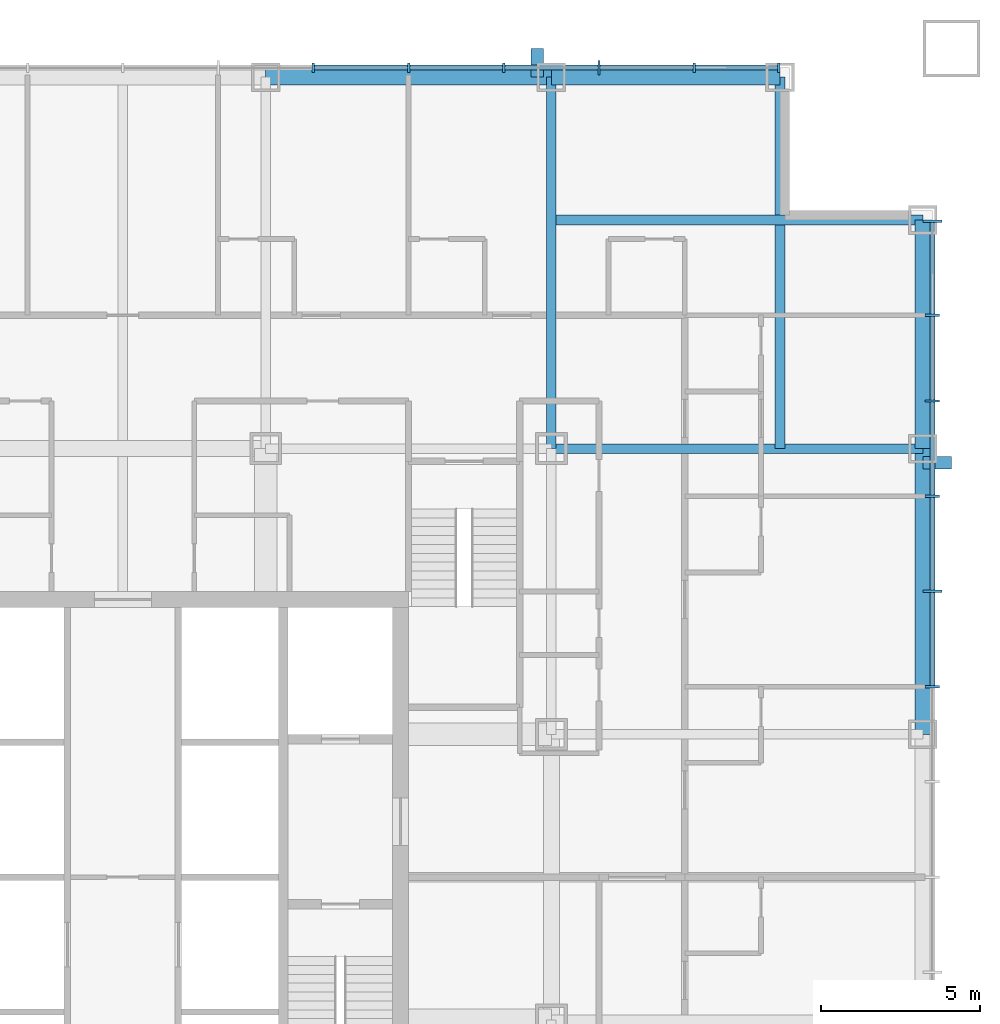
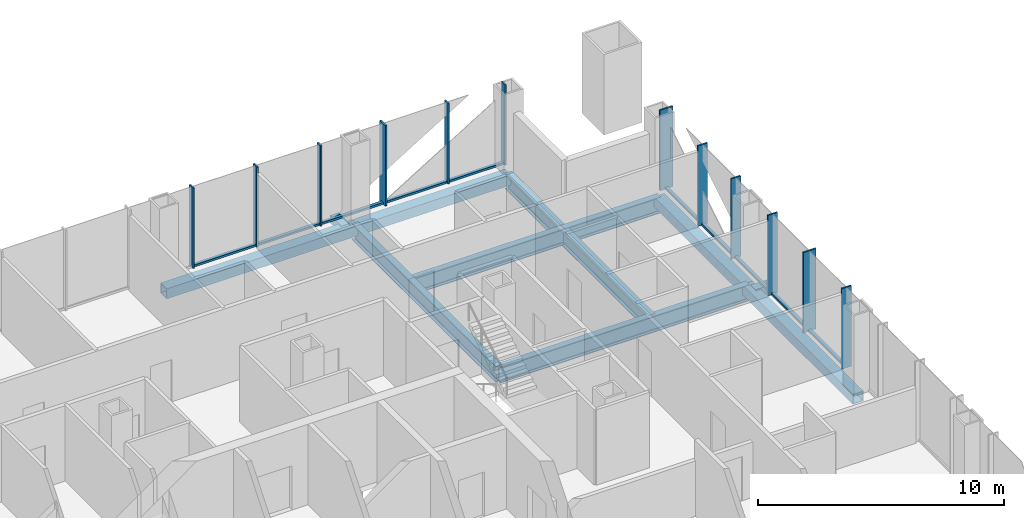
# One storey, part 5 of 13: 24 members, 8 beams, 2 elements without a shape of their own.
"""IFC4 building model written with IfcOpenShell, lengths in metres."""

from ifc_helpers import new_model, si_unit, direction, frame, origin, origin_2d, place, context, subcontext, project, spatial, rectangle, hollow_rectangle, i_section, extrude, material, layer, layer_set, material_profile, profile_set, type_object, element, aggregate, save


model = new_model("IFC4")

# Units and contexts
model_context = context("Model", 3, precision=1e-05, world=origin(), true_north=direction((0.0, 1.0)))
body_context = subcontext(model_context, "Body", "Model", "MODEL_VIEW")
ifc_project = project(units=[si_unit("LENGTHUNIT", "METRE"), si_unit("AREAUNIT", "SQUARE_METRE"), si_unit("VOLUMEUNIT", "CUBIC_METRE"), si_unit("PLANEANGLEUNIT", "RADIAN"), si_unit("MASSUNIT", "GRAM", prefix="KILO")], contexts=[model_context])

# Site, building, storey
site_placement = place(None, origin())
site = spatial("IfcSite", under=ifc_project, at=site_placement, CompositionType="ELEMENT")
building_placement = place(site_placement, origin())
building = spatial("IfcBuilding", under=site, at=building_placement, Name="Malebo Sky Hospital", CompositionType="ELEMENT")
storey_placement = place(building_placement, frame((0.0, 0.0, 87.0)))
storey = spatial("IfcBuildingStorey", under=building, at=storey_placement, Name="L20", CompositionType="ELEMENT", Elevation=87.0)

# Curtain wall, members
ifc_material_1 = material(Name="Anodised aluminium, natural silver", Category="aluminium")
ifc_layer_1 = layer(ifc_material_1, 0.25)
ifc_layer_set_1 = layer_set([ifc_layer_1], Name="WARD CURTAIN WALL NORTH AND SOUTH")
curtain_wall_type_1 = type_object("IfcCurtainWallType", Name="WARD CURTAIN WALL NORTH AND SOUTH", PredefinedType="NOTDEFINED", material=ifc_layer_set_1)
curtain_wall_1_placement = place(storey_placement, origin())
curtain_wall_1 = element("IfcCurtainWall", 1, at=curtain_wall_1_placement, inside=storey, type_object=curtain_wall_type_1, Name="NS curtain wall N", PredefinedType="NOTDEFINED")
ifc_material_profile_1 = material_profile(ifc_material_1, rectangle(XDim=0.14990234375, YDim=0.10009765625, at=origin_2d()), Name="ALUMINIUM TRANSOM 150x100")
ifc_profile_set_1 = profile_set([ifc_material_profile_1], Name="Anodised aluminium, natural silver")
member_type_1 = type_object("IfcMemberType", Name="ALUMINIUM TRANSOM 150x100", PredefinedType="USERDEFINED", material=ifc_profile_set_1)
member_1_placement = place(storey_placement, frame((66.03759765625, 87.5, 0.050048828125), z_axis=(1.0, 0.0, 0.0), x_axis=(0.0, 1.0, 0.0)))
member_1 = element("IfcMember", 2, at=member_1_placement, type_object=member_type_1, Name="Transom 10", ObjectType="TRANSOM", PredefinedType="USERDEFINED", context=body_context, shape_type="SweptSolid", body=[
    extrude(rectangle(XDim=0.14990234375, YDim=0.10009765625, at=origin_2d()), origin(), (0.0, 0.0, 1.0), 2.9248046875),
])
member_2_placement = place(storey_placement, frame((69.03759765625, 87.5, 0.050048828125), z_axis=(1.0, 0.0, 0.0), x_axis=(0.0, 1.0, 0.0)))
member_2 = element("IfcMember", 3, at=member_2_placement, type_object=member_type_1, Name="Transom 11", ObjectType="TRANSOM", PredefinedType="USERDEFINED", context=body_context, shape_type="SweptSolid", body=[
    extrude(rectangle(XDim=0.14990234375, YDim=0.10009765625, at=origin_2d()), origin(), (0.0, 0.0, 1.0), 2.9248046875),
])
member_3_placement = place(storey_placement, frame((72.03759765625, 87.5, 0.050048828125), z_axis=(1.0, 0.0, 0.0), x_axis=(0.0, 1.0, 0.0)))
member_3 = element("IfcMember", 4, at=member_3_placement, type_object=member_type_1, Name="Transom 12", ObjectType="TRANSOM", PredefinedType="USERDEFINED", context=body_context, shape_type="SweptSolid", body=[
    extrude(rectangle(XDim=0.14990234375, YDim=0.10009765625, at=origin_2d()), origin(), (0.0, 0.0, 1.0), 2.9248046875),
])
member_4_placement = place(storey_placement, frame((75.03759765625, 87.5, 0.050048828125), z_axis=(1.0, 0.0, 0.0), x_axis=(0.0, 1.0, 0.0)))
member_4 = element("IfcMember", 5, at=member_4_placement, type_object=member_type_1, Name="Transom 13", ObjectType="TRANSOM", PredefinedType="USERDEFINED", context=body_context, shape_type="SweptSolid", body=[
    extrude(rectangle(XDim=0.14990234375, YDim=0.10009765625, at=origin_2d()), origin(), (0.0, 0.0, 1.0), 2.9248046875),
])
member_5_placement = place(storey_placement, frame((78.03759765625, 87.5, 0.050048828125), z_axis=(1.0, 0.0, 0.0), x_axis=(0.0, 1.0, 0.0)))
member_5 = element("IfcMember", 6, at=member_5_placement, type_object=member_type_1, Name="Transom 14", ObjectType="TRANSOM", PredefinedType="USERDEFINED", context=body_context, shape_type="SweptSolid", body=[
    extrude(rectangle(XDim=0.14990234375, YDim=0.10009765625, at=origin_2d()), origin(), (0.0, 0.0, 1.0), 2.58740234375),
])

ifc_layer_2 = layer(ifc_material_1, 0.25)
ifc_layer_set_2 = layer_set([ifc_layer_2], Name="WARD CURTAIN WALL EAST AND WEST")
curtain_wall_type_2 = type_object("IfcCurtainWallType", Name="WARD CURTAIN WALL EAST AND WEST", PredefinedType="NOTDEFINED", material=ifc_layer_set_2)
curtain_wall_2_placement = place(storey_placement, origin())
curtain_wall_2 = element("IfcCurtainWall", 7, at=curtain_wall_2_placement, inside=storey, type_object=curtain_wall_type_2, Name="EW curtain wall E", PredefinedType="NOTDEFINED")
member_6_placement = place(storey_placement, frame((85.5, 82.625, 0.050048828125), z_axis=(0.0, -1.0, 0.0), x_axis=(1.0, 0.0, 0.0)))
member_6 = element("IfcMember", 8, at=member_6_placement, type_object=member_type_1, Name="Transom 1", ObjectType="TRANSOM", PredefinedType="USERDEFINED", context=body_context, shape_type="SweptSolid", body=[
    extrude(rectangle(XDim=0.14990234375, YDim=0.10009765625, at=origin_2d()), origin(), (0.0, 0.0, 1.0), 2.887451171875),
])
member_7_placement = place(storey_placement, frame((85.5, 79.66259765625, 0.050048828125), z_axis=(0.0, -1.0, 0.0), x_axis=(1.0, 0.0, 0.0)))
member_7 = element("IfcMember", 9, at=member_7_placement, type_object=member_type_1, Name="Transom 2", ObjectType="TRANSOM", PredefinedType="USERDEFINED", context=body_context, shape_type="SweptSolid", body=[
    extrude(rectangle(XDim=0.14990234375, YDim=0.10009765625, at=origin_2d()), origin(), (0.0, 0.0, 1.0), 2.625),
])
member_8_placement = place(storey_placement, frame((85.5, 76.96240234375, 0.050048828125), z_axis=(0.0, -1.0, 0.0), x_axis=(1.0, 0.0, 0.0)))
member_8 = element("IfcMember", 10, at=member_8_placement, type_object=member_type_1, Name="Transom 3", ObjectType="TRANSOM", PredefinedType="USERDEFINED", context=body_context, shape_type="SweptSolid", body=[
    extrude(rectangle(XDim=0.14990234375, YDim=0.10009765625, at=origin_2d()), origin(), (0.0, 0.0, 1.0), 2.9248046875),
])
member_9_placement = place(storey_placement, frame((85.5, 73.96240234375, 0.050048828125), z_axis=(0.0, -1.0, 0.0), x_axis=(1.0, 0.0, 0.0)))
member_9 = element("IfcMember", 11, at=member_9_placement, type_object=member_type_1, Name="Transom 4", ObjectType="TRANSOM", PredefinedType="USERDEFINED", context=body_context, shape_type="SweptSolid", body=[
    extrude(rectangle(XDim=0.14990234375, YDim=0.10009765625, at=origin_2d()), origin(), (0.0, 0.0, 1.0), 2.9248046875),
])
member_10_placement = place(storey_placement, frame((85.5, 70.96240234375, 0.050048828125), z_axis=(0.0, -1.0, 0.0), x_axis=(1.0, 0.0, 0.0)))
member_10 = element("IfcMember", 12, at=member_10_placement, type_object=member_type_1, Name="Transom 5", ObjectType="TRANSOM", PredefinedType="USERDEFINED", context=body_context, shape_type="SweptSolid", body=[
    extrude(rectangle(XDim=0.14990234375, YDim=0.10009765625, at=origin_2d()), origin(), (0.0, 0.0, 1.0), 2.9248046875),
])

# Members
ifc_material_2 = material(Name="Steel S355", Category="steel")
ifc_material_profile_2 = material_profile(ifc_material_2, hollow_rectangle(XDim=0.39990234375, YDim=0.39990234375, WallThickness=0.02001953125, at=origin_2d()), Name="SHS 400x20")
ifc_profile_set_2 = profile_set([ifc_material_profile_2], Name="Steel S355")
member_type_2 = type_object("IfcMemberType", Name="BRACE STRUT SHS 400x20", PredefinedType="STRUT", material=ifc_profile_set_2)
for number, where, z_axis, x_axis, name in (
    (13, (73.050048828125, 88.10009765625, -0.39990234375), (0.0, -1.0, 0.0), (1.0, 0.0, 0.0), "Brace strut AN2 L20"),
    (14, (86.10009765625, 75.050048828125, -0.39990234375), (-1.0, 0.0, 0.0), (0.0, -1.0, 0.0), "Brace strut AE1 L20"),
):
    element("IfcMember", number, at=place(storey_placement, frame(where, z_axis=z_axis, x_axis=x_axis)), inside=storey, type_object=member_type_2, Name=name, PredefinedType="STRUT", context=body_context, shape_type="SweptSolid", body=[
        extrude(hollow_rectangle(XDim=0.39990234375, YDim=0.39990234375, WallThickness=0.02001953125, at=origin_2d()), origin(), (0.0, 0.0, 1.0), 0.900146484375),
    ])

# Member
ifc_material_profile_3 = material_profile(ifc_material_1, rectangle(XDim=0.074951171875, YDim=0.300048828125, at=origin_2d()), Name="CW1 ALUMINIUM FIN MULLION 75x300")
ifc_profile_set_3 = profile_set([ifc_material_profile_3], Name="Anodised aluminium, natural silver")
member_type_3 = type_object("IfcMemberType", Name="CW1 ALUMINIUM FIN MULLION 75x300", PredefinedType="MULLION", material=ifc_profile_set_3)
member_11_placement = place(storey_placement, frame((66.0, 87.5, 0.0), z_axis=(0.0, 0.0, 1.0), x_axis=(1.0, 0.0, 0.0)))
member_11 = element("IfcMember", 15, at=member_11_placement, type_object=member_type_3, Name="Fin mullion 10", PredefinedType="MULLION", context=body_context, shape_type="SweptSolid", body=[
    extrude(rectangle(XDim=0.074951171875, YDim=0.300048828125, at=origin_2d()), origin(), (0.0, 0.0, 1.0), 4.0),
])

member_12_placement = place(storey_placement, frame((69.0, 87.5, 0.0), z_axis=(0.0, 0.0, 1.0), x_axis=(1.0, 0.0, 0.0)))
member_12 = element("IfcMember", 16, at=member_12_placement, type_object=member_type_3, Name="Fin mullion 11", PredefinedType="MULLION", context=body_context, shape_type="SweptSolid", body=[
    extrude(rectangle(XDim=0.074951171875, YDim=0.300048828125, at=origin_2d()), origin(), (0.0, 0.0, 1.0), 4.0),
])

member_13_placement = place(storey_placement, frame((72.0, 87.5, 0.0), z_axis=(0.0, 0.0, 1.0), x_axis=(1.0, 0.0, 0.0)))
member_13 = element("IfcMember", 17, at=member_13_placement, type_object=member_type_3, Name="Fin mullion 12", PredefinedType="MULLION", context=body_context, shape_type="SweptSolid", body=[
    extrude(rectangle(XDim=0.074951171875, YDim=0.300048828125, at=origin_2d()), origin(), (0.0, 0.0, 1.0), 4.0),
])

member_14_placement = place(storey_placement, frame((78.0, 87.5, 0.0), z_axis=(0.0, 0.0, 1.0), x_axis=(1.0, 0.0, 0.0)))
member_14 = element("IfcMember", 18, at=member_14_placement, type_object=member_type_3, Name="Fin mullion 14", PredefinedType="MULLION", context=body_context, shape_type="SweptSolid", body=[
    extrude(rectangle(XDim=0.074951171875, YDim=0.300048828125, at=origin_2d()), origin(), (0.0, 0.0, 1.0), 4.0),
])

member_15_placement = place(storey_placement, frame((80.66259765625, 87.5, 0.0), z_axis=(0.0, 0.0, 1.0), x_axis=(1.0, 0.0, 0.0)))
member_15 = element("IfcMember", 19, at=member_15_placement, type_object=member_type_3, Name="Fin mullion 15", PredefinedType="MULLION", context=body_context, shape_type="SweptSolid", body=[
    extrude(rectangle(XDim=0.074951171875, YDim=0.300048828125, at=origin_2d()), origin(), (0.0, 0.0, 1.0), 4.0),
])

ifc_material_profile_4 = material_profile(ifc_material_1, rectangle(XDim=0.074951171875, YDim=0.449951171875, at=origin_2d()), Name="CW1 ALUMINIUM FIN MULLION 75x450")
ifc_profile_set_4 = profile_set([ifc_material_profile_4], Name="Anodised aluminium, natural silver")
member_type_4 = type_object("IfcMemberType", Name="CW1 ALUMINIUM FIN MULLION 75x450", PredefinedType="MULLION", material=ifc_profile_set_4)
member_16_placement = place(storey_placement, frame((75.0, 87.5, 0.0), z_axis=(0.0, 0.0, 1.0), x_axis=(1.0, 0.0, 0.0)))
member_16 = element("IfcMember", 20, at=member_16_placement, type_object=member_type_4, Name="Fin mullion 13", PredefinedType="MULLION", context=body_context, shape_type="SweptSolid", body=[
    extrude(rectangle(XDim=0.074951171875, YDim=0.449951171875, at=origin_2d()), origin(), (0.0, 0.0, 1.0), 4.0),
])

aggregate(curtain_wall_1, [member_11, member_12, member_13, member_16, member_14, member_15, member_1, member_2, member_3, member_4, member_5])

ifc_material_profile_5 = material_profile(ifc_material_1, rectangle(XDim=0.074951171875, YDim=0.449951171875, at=origin_2d()), Name="CW2 ALUMINIUM FIN MULLION 75x450")
ifc_profile_set_5 = profile_set([ifc_material_profile_5], Name="Anodised aluminium, natural silver")
member_type_5 = type_object("IfcMemberType", Name="CW2 ALUMINIUM FIN MULLION 75x450", PredefinedType="MULLION", material=ifc_profile_set_5)
member_17_placement = place(storey_placement, frame((85.5, 79.699951171875, 0.0), z_axis=(0.0, 0.0, 1.0), x_axis=(0.0, -1.0, 0.0)))
member_17 = element("IfcMember", 21, at=member_17_placement, type_object=member_type_5, Name="Fin mullion 2", PredefinedType="MULLION", context=body_context, shape_type="SweptSolid", body=[
    extrude(rectangle(XDim=0.074951171875, YDim=0.449951171875, at=origin_2d()), origin(), (0.0, 0.0, 1.0), 4.0),
])

member_18_placement = place(storey_placement, frame((85.5, 77.0, 0.0), z_axis=(0.0, 0.0, 1.0), x_axis=(0.0, -1.0, 0.0)))
member_18 = element("IfcMember", 22, at=member_18_placement, type_object=member_type_5, Name="Fin mullion 3", PredefinedType="MULLION", context=body_context, shape_type="SweptSolid", body=[
    extrude(rectangle(XDim=0.074951171875, YDim=0.449951171875, at=origin_2d()), origin(), (0.0, 0.0, 1.0), 4.0),
])

member_19_placement = place(storey_placement, frame((85.5, 74.0, 0.0), z_axis=(0.0, 0.0, 1.0), x_axis=(0.0, -1.0, 0.0)))
member_19 = element("IfcMember", 23, at=member_19_placement, type_object=member_type_5, Name="Fin mullion 4", PredefinedType="MULLION", context=body_context, shape_type="SweptSolid", body=[
    extrude(rectangle(XDim=0.074951171875, YDim=0.449951171875, at=origin_2d()), origin(), (0.0, 0.0, 1.0), 4.0),
])

member_20_placement = place(storey_placement, frame((85.5, 68.0, 0.0), z_axis=(0.0, 0.0, 1.0), x_axis=(0.0, -1.0, 0.0)))
member_20 = element("IfcMember", 24, at=member_20_placement, type_object=member_type_5, Name="Fin mullion 6", PredefinedType="MULLION", context=body_context, shape_type="SweptSolid", body=[
    extrude(rectangle(XDim=0.074951171875, YDim=0.449951171875, at=origin_2d()), origin(), (0.0, 0.0, 1.0), 4.0),
])

ifc_material_profile_6 = material_profile(ifc_material_1, rectangle(XDim=0.074951171875, YDim=0.60009765625, at=origin_2d()), Name="CW2 ALUMINIUM FIN MULLION 75x600")
ifc_profile_set_6 = profile_set([ifc_material_profile_6], Name="Anodised aluminium, natural silver")
member_type_6 = type_object("IfcMemberType", Name="CW2 ALUMINIUM FIN MULLION 75x600", PredefinedType="MULLION", material=ifc_profile_set_6)
member_21_placement = place(storey_placement, frame((85.5, 82.66259765625, 0.0), z_axis=(0.0, 0.0, 1.0), x_axis=(0.0, -1.0, 0.0)))
member_21 = element("IfcMember", 25, at=member_21_placement, type_object=member_type_6, Name="Fin mullion 1", PredefinedType="MULLION", context=body_context, shape_type="SweptSolid", body=[
    extrude(rectangle(XDim=0.074951171875, YDim=0.60009765625, at=origin_2d()), origin(), (0.0, 0.0, 1.0), 4.0),
])

member_22_placement = place(storey_placement, frame((85.5, 71.0, 0.0), z_axis=(0.0, 0.0, 1.0), x_axis=(0.0, -1.0, 0.0)))
member_22 = element("IfcMember", 26, at=member_22_placement, type_object=member_type_6, Name="Fin mullion 5", PredefinedType="MULLION", context=body_context, shape_type="SweptSolid", body=[
    extrude(rectangle(XDim=0.074951171875, YDim=0.60009765625, at=origin_2d()), origin(), (0.0, 0.0, 1.0), 4.0),
])

aggregate(curtain_wall_2, [member_21, member_17, member_18, member_19, member_22, member_20, member_6, member_7, member_8, member_9, member_10])

# Beams
ifc_material_3 = material(Name="Steel S460", Category="steel")
ifc_material_profile_7 = material_profile(ifc_material_3, hollow_rectangle(XDim=0.5, YDim=0.5, WallThickness=0.030029296875, at=origin_2d()), Name="BOX 500x500x30")
ifc_profile_set_7 = profile_set([ifc_material_profile_7], Name="Steel S460")
beam_type_1 = type_object("IfcBeamType", Name="EDGE BEAM BOX 500x500x30", PredefinedType="BEAM", material=ifc_profile_set_7)
beam_1_placement = place(storey_placement, frame((85.199951171875, 66.5, -0.5), z_axis=(0.0, 1.0, 0.0), x_axis=(-1.0, 0.0, 0.0)))
element("IfcBeam", 27, at=beam_1_placement, inside=storey, type_object=beam_type_1, Name="Beam 032 L20", PredefinedType="BEAM", context=body_context, shape_type="SweptSolid", body=[
    extrude(hollow_rectangle(XDim=0.5, YDim=0.5, WallThickness=0.030029296875, at=origin_2d()), origin(), (0.0, 0.0, 1.0), 9.0),
])
beam_2_placement = place(storey_placement, frame((85.199951171875, 75.5, -0.5), z_axis=(0.0, 1.0, 0.0), x_axis=(-1.0, 0.0, 0.0)))
element("IfcBeam", 28, at=beam_2_placement, inside=storey, type_object=beam_type_1, Name="Beam 033 L20", PredefinedType="BEAM", context=body_context, shape_type="SweptSolid", body=[
    extrude(hollow_rectangle(XDim=0.5, YDim=0.5, WallThickness=0.030029296875, at=origin_2d()), origin(), (0.0, 0.0, 1.0), 7.199951171875),
])
beam_3_placement = place(storey_placement, frame((64.5, 87.199951171875, -0.5), z_axis=(1.0, 0.0, 0.0), x_axis=(0.0, 1.0, 0.0)))
element("IfcBeam", 29, at=beam_3_placement, inside=storey, type_object=beam_type_1, Name="Beam 066 L20", PredefinedType="BEAM", context=body_context, shape_type="SweptSolid", body=[
    extrude(hollow_rectangle(XDim=0.5, YDim=0.5, WallThickness=0.030029296875, at=origin_2d()), origin(), (0.0, 0.0, 1.0), 9.0),
])
beam_4_placement = place(storey_placement, frame((73.5, 87.199951171875, -0.5), z_axis=(1.0, 0.0, 0.0), x_axis=(0.0, 1.0, 0.0)))
element("IfcBeam", 30, at=beam_4_placement, inside=storey, type_object=beam_type_1, Name="Beam 067 L20", PredefinedType="BEAM", context=body_context, shape_type="SweptSolid", body=[
    extrude(hollow_rectangle(XDim=0.5, YDim=0.5, WallThickness=0.030029296875, at=origin_2d()), origin(), (0.0, 0.0, 1.0), 7.199951171875),
])
ifc_material_profile_8 = material_profile(ifc_material_2, i_section(OverallWidth=0.300048828125, OverallDepth=0.800048828125, WebThickness=0.017578125, FlangeThickness=0.032958984375, FilletRadius=0.030029296875, at=origin_2d()), Name="HEB 800")
ifc_profile_set_8 = profile_set([ifc_material_profile_8], Name="Steel S355")
beam_type_2 = type_object("IfcBeamType", Name="FLOOR BEAM HEB 800", PredefinedType="BEAM", material=ifc_profile_set_8)
for number, where, z_axis, x_axis, name in (
    (31, (80.699951171875, 75.5, -0.64990234375), (0.0, 1.0, 0.0), (-1.0, 0.0, 0.0), "Beam 028 L20"),
    (32, (73.5, 82.699951171875, -0.64990234375), (1.0, 0.0, 0.0), (0.0, 1.0, 0.0), "Beam 062 L20"),
):
    element("IfcBeam", number, at=place(storey_placement, frame(where, z_axis=z_axis, x_axis=x_axis)), inside=storey, type_object=beam_type_2, Name=name, PredefinedType="BEAM", context=body_context, shape_type="SweptSolid", body=[
        extrude(i_section(OverallWidth=0.300048828125, OverallDepth=0.800048828125, WebThickness=0.017578125, FlangeThickness=0.032958984375, FilletRadius=0.030029296875, at=origin_2d()), origin(), (0.0, 0.0, 1.0), 11.699951171875),
    ])
ifc_material_profile_9 = material_profile(ifc_material_2, i_section(OverallWidth=0.300048828125, OverallDepth=0.800048828125, WebThickness=0.017578125, FlangeThickness=0.032958984375, FilletRadius=0.030029296875, at=origin_2d()), Name="HEB 800")
ifc_profile_set_9 = profile_set([ifc_material_profile_9], Name="Steel S355")
beam_type_3 = type_object("IfcBeamType", Name="FLOOR GIRDER HEB 800", PredefinedType="BEAM", material=ifc_profile_set_9)
for number, where, z_axis, x_axis, name in (
    (33, (73.5, 75.5, -0.64990234375), (0.0, 1.0, 0.0), (-1.0, 0.0, 0.0), "Beam 026 L20"),
    (34, (73.5, 75.5, -0.64990234375), (1.0, 0.0, 0.0), (0.0, 1.0, 0.0), "Beam 060 L20"),
):
    element("IfcBeam", number, at=place(storey_placement, frame(where, z_axis=z_axis, x_axis=x_axis)), inside=storey, type_object=beam_type_3, Name=name, PredefinedType="BEAM", context=body_context, shape_type="SweptSolid", body=[
        extrude(i_section(OverallWidth=0.300048828125, OverallDepth=0.800048828125, WebThickness=0.017578125, FlangeThickness=0.032958984375, FilletRadius=0.030029296875, at=origin_2d()), origin(), (0.0, 0.0, 1.0), 11.699951171875),
    ])

save(model, "model.ifc")
